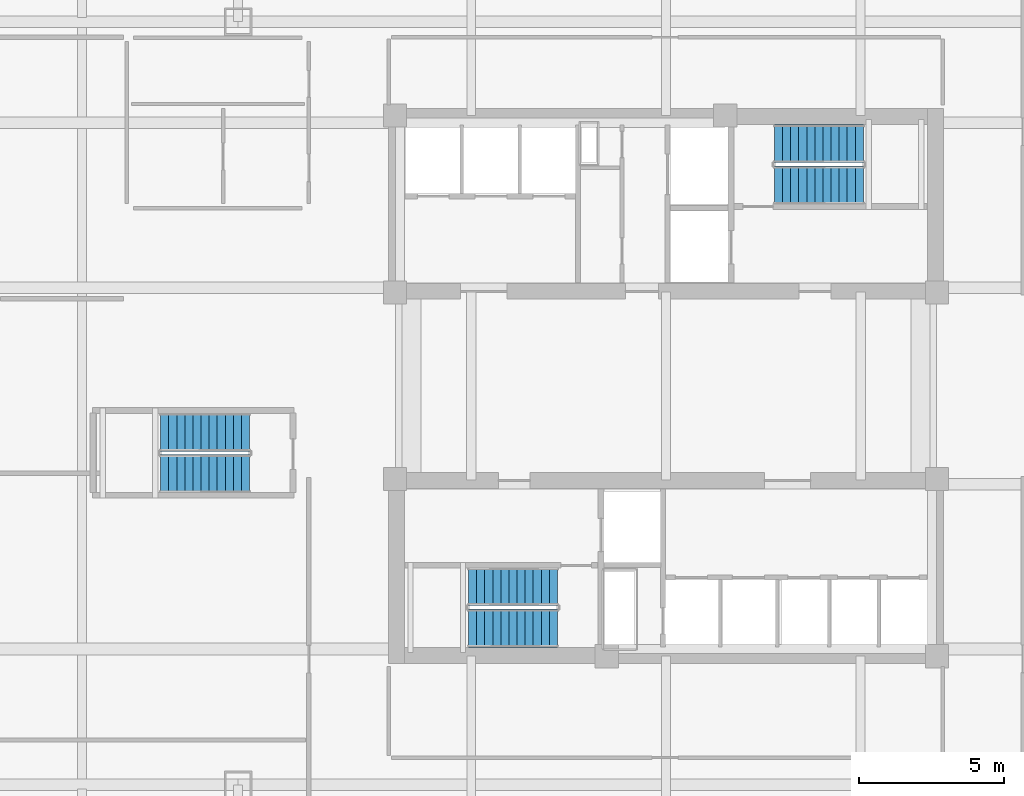
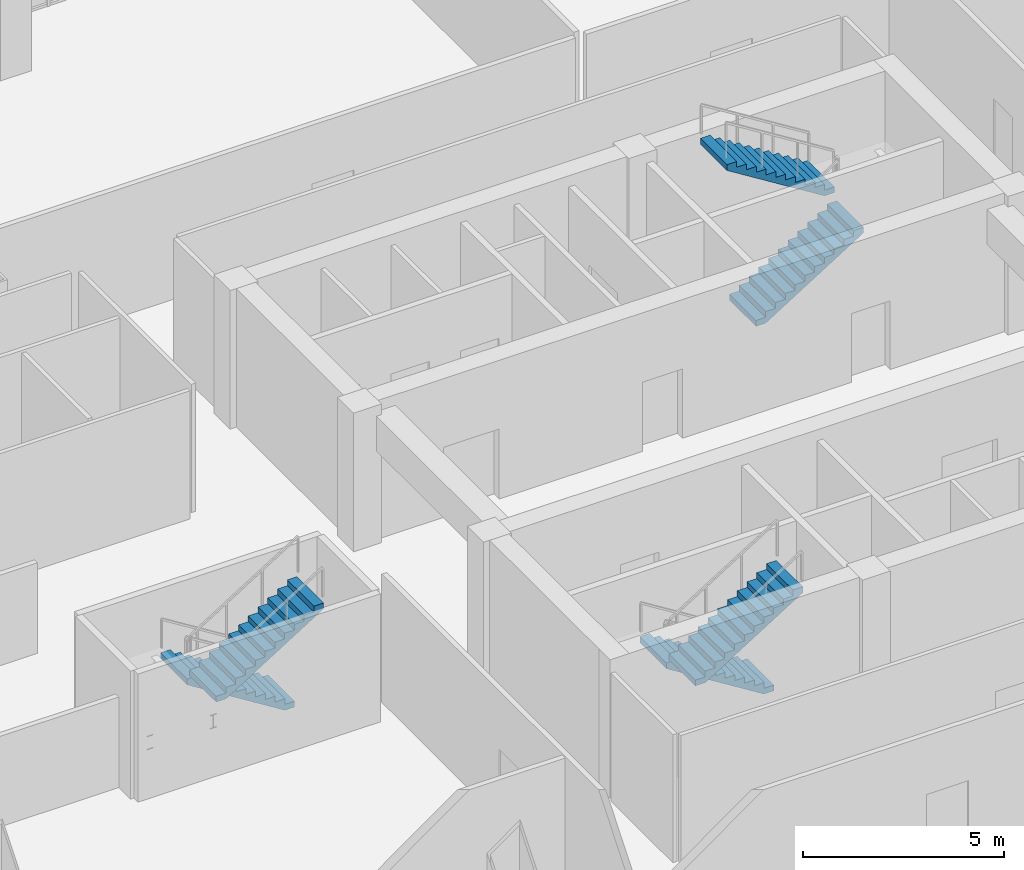
# One storey, part 15 of 21: 6 stair flights, 3 elements without a shape of their own.
"""IFC4 building model written with IfcOpenShell, lengths in metres."""

from ifc_helpers import new_model, si_unit, direction, frame, origin, place, context, subcontext, project, spatial, polyline, outline, extrude, material, type_object, element, aggregate, save


model = new_model("IFC4")

# Units and contexts
model_context = context("Model", 3, precision=1e-05, world=origin(), true_north=direction((0.0, 1.0)))
body_context = subcontext(model_context, "Body", "Model", "MODEL_VIEW")
ifc_project = project(units=[si_unit("LENGTHUNIT", "METRE"), si_unit("AREAUNIT", "SQUARE_METRE"), si_unit("VOLUMEUNIT", "CUBIC_METRE"), si_unit("PLANEANGLEUNIT", "RADIAN"), si_unit("MASSUNIT", "GRAM", prefix="KILO")], contexts=[model_context])

# Site, building, storey
site_placement = place(None, origin())
site = spatial("IfcSite", under=ifc_project, at=site_placement, CompositionType="ELEMENT")
building_placement = place(site_placement, origin())
building = spatial("IfcBuilding", under=site, at=building_placement, Name="Qhalaya Broadcast Tower", CompositionType="ELEMENT")
storey_placement = place(building_placement, frame((0.0, 0.0, 9.300048828125)))
storey = spatial("IfcBuildingStorey", under=building, at=storey_placement, Name="L02", CompositionType="ELEMENT", Elevation=9.300048828125)

# Stair, stair flights
ifc_material_1 = material(Name="Concrete C40/50", Category="concrete")
stair_type = type_object("IfcStairType", Name="Protected Dogleg Core Stair 4200", PredefinedType="TWO_STRAIGHT_RUN_STAIR", material=ifc_material_1)
stair_1_placement = place(storey_placement, origin())
stair_1 = element("IfcStair", 1, at=stair_1_placement, inside=storey, type_object=stair_type, Name="L02 North Core Exit Stair ST-1", PredefinedType="TWO_STRAIGHT_RUN_STAIR")
ifc_material_2 = material(Name="Precast Concrete C40/50", Category="concrete")
stair_flight_type = type_object("IfcStairFlightType", Name="Precast Concrete Stair Flight 4200", PredefinedType="STRAIGHT", material=ifc_material_2)
stair_flight_1_placement = place(storey_placement, frame((3.75, 7.5400390625, 0.0), z_axis=(0.0, 0.0, 1.0), x_axis=(1.0, 0.0, 0.0)))
stair_flight_1 = element("IfcStairFlight", 2, at=stair_flight_1_placement, type_object=stair_flight_type, Name="ST-1 flight 1", NumberOfRisers=12, NumberOfTreads=11, PredefinedType="STRAIGHT", RiserHeight=0.175, TreadLength=0.28, context=body_context, shape_type="SweptSolid", body=[
    extrude(outline(polyline([(0.0, 0.0), (0.0, 0.175048828125), (0.280029296875, 0.175048828125), (0.280029296875, 0.35009765625), (0.56005859375, 0.35009765625), (0.56005859375, 0.52490234375), (0.840087890625, 0.52490234375), (0.840087890625, 0.699951171875), (1.1201171875, 0.699951171875), (1.1201171875, 0.875), (1.39990234375, 0.875), (1.39990234375, 1.050048828125), (1.679931640625, 1.050048828125), (1.679931640625, 1.22509765625), (1.9599609375, 1.22509765625), (1.9599609375, 1.39990234375), (2.239990234375, 1.39990234375), (2.239990234375, 1.574951171875), (2.52001953125, 1.574951171875), (2.52001953125, 1.75), (2.800048828125, 1.75), (2.800048828125, 1.925048828125), (3.080078125, 1.925048828125), (3.080078125, 2.10009765625), (3.080078125, 1.748291015625), (0.28271484375, 0.0), (0.0, 0.0)])), frame((0.0, 0.66015625, 0.0), z_axis=(0.0, -1.0, 0.0), x_axis=(1.0, 0.0, 0.0)), (0.0, 0.0, 1.0), 1.320068359375),
])
stair_flight_2_placement = place(storey_placement, frame((6.830078125, 8.97998046875, 2.099853515625), z_axis=(0.0, 0.0, 1.0), x_axis=(-1.0, 0.0, 0.0)))
stair_flight_2 = element("IfcStairFlight", 3, at=stair_flight_2_placement, type_object=stair_flight_type, Name="ST-1 flight 2", NumberOfRisers=12, NumberOfTreads=11, PredefinedType="STRAIGHT", RiserHeight=0.175, TreadLength=0.28, context=body_context, shape_type="SweptSolid", body=[
    extrude(outline(polyline([(0.0, 0.0), (0.0, 0.175048828125), (0.280029296875, 0.175048828125), (0.280029296875, 0.35009765625), (0.56005859375, 0.35009765625), (0.56005859375, 0.52490234375), (0.840087890625, 0.52490234375), (0.840087890625, 0.699951171875), (1.1201171875, 0.699951171875), (1.1201171875, 0.875), (1.39990234375, 0.875), (1.39990234375, 1.050048828125), (1.679931640625, 1.050048828125), (1.679931640625, 1.22509765625), (1.9599609375, 1.22509765625), (1.9599609375, 1.39990234375), (2.239990234375, 1.39990234375), (2.239990234375, 1.574951171875), (2.52001953125, 1.574951171875), (2.52001953125, 1.75), (2.800048828125, 1.75), (2.800048828125, 1.925048828125), (3.080078125, 1.925048828125), (3.080078125, 2.10009765625), (3.080078125, 1.748291015625), (0.28271484375, 0.0), (0.0, 0.0)])), frame((0.0, 0.66015625, 0.0), z_axis=(0.0, -1.0, 0.0), x_axis=(1.0, 0.0, 0.0)), (0.0, 0.0, 1.0), 1.320068359375),
])
aggregate(stair_1, [stair_flight_1, stair_flight_2])

stair_2_placement = place(storey_placement, origin())
stair_2 = element("IfcStair", 4, at=stair_2_placement, inside=storey, type_object=stair_type, Name="L02 South Core Exit Stair ST-2", PredefinedType="TWO_STRAIGHT_RUN_STAIR")
stair_flight_3_placement = place(storey_placement, frame((-3.75, -6.340087890625, 0.0), z_axis=(0.0, 0.0, 1.0), x_axis=(-1.0, 0.0, 0.0)))
stair_flight_3 = element("IfcStairFlight", 5, at=stair_flight_3_placement, type_object=stair_flight_type, Name="ST-2 flight 1", NumberOfRisers=12, NumberOfTreads=11, PredefinedType="STRAIGHT", RiserHeight=0.175, TreadLength=0.28, context=body_context, shape_type="SweptSolid", body=[
    extrude(outline(polyline([(0.0, 0.0), (0.0, 0.175048828125), (0.280029296875, 0.175048828125), (0.280029296875, 0.35009765625), (0.56005859375, 0.35009765625), (0.56005859375, 0.52490234375), (0.840087890625, 0.52490234375), (0.840087890625, 0.699951171875), (1.1201171875, 0.699951171875), (1.1201171875, 0.875), (1.39990234375, 0.875), (1.39990234375, 1.050048828125), (1.679931640625, 1.050048828125), (1.679931640625, 1.22509765625), (1.9599609375, 1.22509765625), (1.9599609375, 1.39990234375), (2.239990234375, 1.39990234375), (2.239990234375, 1.574951171875), (2.52001953125, 1.574951171875), (2.52001953125, 1.75), (2.800048828125, 1.75), (2.800048828125, 1.925048828125), (3.080078125, 1.925048828125), (3.080078125, 2.10009765625), (3.080078125, 1.748291015625), (0.28271484375, 0.0), (0.0, 0.0)])), frame((0.0, 0.66015625, 0.0), z_axis=(0.0, -1.0, 0.0), x_axis=(1.0, 0.0, 0.0)), (0.0, 0.0, 1.0), 1.320068359375),
])
stair_flight_4_placement = place(storey_placement, frame((-6.830078125, -7.780029296875, 2.099853515625), z_axis=(0.0, 0.0, 1.0), x_axis=(1.0, 0.0, 0.0)))
stair_flight_4 = element("IfcStairFlight", 6, at=stair_flight_4_placement, type_object=stair_flight_type, Name="ST-2 flight 2", NumberOfRisers=12, NumberOfTreads=11, PredefinedType="STRAIGHT", RiserHeight=0.175, TreadLength=0.28, context=body_context, shape_type="SweptSolid", body=[
    extrude(outline(polyline([(0.0, 0.0), (0.0, 0.175048828125), (0.280029296875, 0.175048828125), (0.280029296875, 0.35009765625), (0.56005859375, 0.35009765625), (0.56005859375, 0.52490234375), (0.840087890625, 0.52490234375), (0.840087890625, 0.699951171875), (1.1201171875, 0.699951171875), (1.1201171875, 0.875), (1.39990234375, 0.875), (1.39990234375, 1.050048828125), (1.679931640625, 1.050048828125), (1.679931640625, 1.22509765625), (1.9599609375, 1.22509765625), (1.9599609375, 1.39990234375), (2.239990234375, 1.39990234375), (2.239990234375, 1.574951171875), (2.52001953125, 1.574951171875), (2.52001953125, 1.75), (2.800048828125, 1.75), (2.800048828125, 1.925048828125), (3.080078125, 1.925048828125), (3.080078125, 2.10009765625), (3.080078125, 1.748291015625), (0.28271484375, 0.0), (0.0, 0.0)])), frame((0.0, 0.66015625, 0.0), z_axis=(0.0, -1.0, 0.0), x_axis=(1.0, 0.0, 0.0)), (0.0, 0.0, 1.0), 1.320068359375),
])
aggregate(stair_2, [stair_flight_3, stair_flight_4])

stair_3_placement = place(storey_placement, origin())
stair_3 = element("IfcStair", 7, at=stair_3_placement, inside=storey, type_object=stair_type, Name="L02 Podium West Escape Stair ST-P1", PredefinedType="TWO_STRAIGHT_RUN_STAIR")
stair_flight_5_placement = place(storey_placement, frame((-14.39990234375, -1.0, 0.0), z_axis=(0.0, 0.0, 1.0), x_axis=(-1.0, 0.0, 0.0)))
stair_flight_5 = element("IfcStairFlight", 8, at=stair_flight_5_placement, type_object=stair_flight_type, Name="ST-P1 flight 1", NumberOfRisers=12, NumberOfTreads=11, PredefinedType="STRAIGHT", RiserHeight=0.175, TreadLength=0.28, context=body_context, shape_type="SweptSolid", body=[
    extrude(outline(polyline([(0.0, 0.0), (0.0, 0.175048828125), (0.280029296875, 0.175048828125), (0.280029296875, 0.35009765625), (0.56005859375, 0.35009765625), (0.56005859375, 0.52490234375), (0.840087890625, 0.52490234375), (0.840087890625, 0.699951171875), (1.1201171875, 0.699951171875), (1.1201171875, 0.875), (1.39990234375, 0.875), (1.39990234375, 1.050048828125), (1.679931640625, 1.050048828125), (1.679931640625, 1.22509765625), (1.9599609375, 1.22509765625), (1.9599609375, 1.39990234375), (2.239990234375, 1.39990234375), (2.239990234375, 1.574951171875), (2.52001953125, 1.574951171875), (2.52001953125, 1.75), (2.800048828125, 1.75), (2.800048828125, 1.925048828125), (3.080078125, 1.925048828125), (3.080078125, 2.10009765625), (3.080078125, 1.748291015625), (0.28271484375, 0.0), (0.0, 0.0)])), frame((0.0, 0.66015625, 0.0), z_axis=(0.0, -1.0, 0.0), x_axis=(1.0, 0.0, 0.0)), (0.0, 0.0, 1.0), 1.320068359375),
])
stair_flight_6_placement = place(storey_placement, frame((-17.47998046875, -2.43994140625, 2.099853515625), z_axis=(0.0, 0.0, 1.0), x_axis=(1.0, 0.0, 0.0)))
stair_flight_6 = element("IfcStairFlight", 9, at=stair_flight_6_placement, type_object=stair_flight_type, Name="ST-P1 flight 2", NumberOfRisers=12, NumberOfTreads=11, PredefinedType="STRAIGHT", RiserHeight=0.175, TreadLength=0.28, context=body_context, shape_type="SweptSolid", body=[
    extrude(outline(polyline([(0.0, 0.0), (0.0, 0.175048828125), (0.280029296875, 0.175048828125), (0.280029296875, 0.35009765625), (0.56005859375, 0.35009765625), (0.56005859375, 0.52490234375), (0.840087890625, 0.52490234375), (0.840087890625, 0.699951171875), (1.1201171875, 0.699951171875), (1.1201171875, 0.875), (1.39990234375, 0.875), (1.39990234375, 1.050048828125), (1.679931640625, 1.050048828125), (1.679931640625, 1.22509765625), (1.9599609375, 1.22509765625), (1.9599609375, 1.39990234375), (2.239990234375, 1.39990234375), (2.239990234375, 1.574951171875), (2.52001953125, 1.574951171875), (2.52001953125, 1.75), (2.800048828125, 1.75), (2.800048828125, 1.925048828125), (3.080078125, 1.925048828125), (3.080078125, 2.10009765625), (3.080078125, 1.748291015625), (0.28271484375, 0.0), (0.0, 0.0)])), frame((0.0, 0.66015625, 0.0), z_axis=(0.0, -1.0, 0.0), x_axis=(1.0, 0.0, 0.0)), (0.0, 0.0, 1.0), 1.320068359375),
])
aggregate(stair_3, [stair_flight_5, stair_flight_6])

save(model, "model.ifc")
